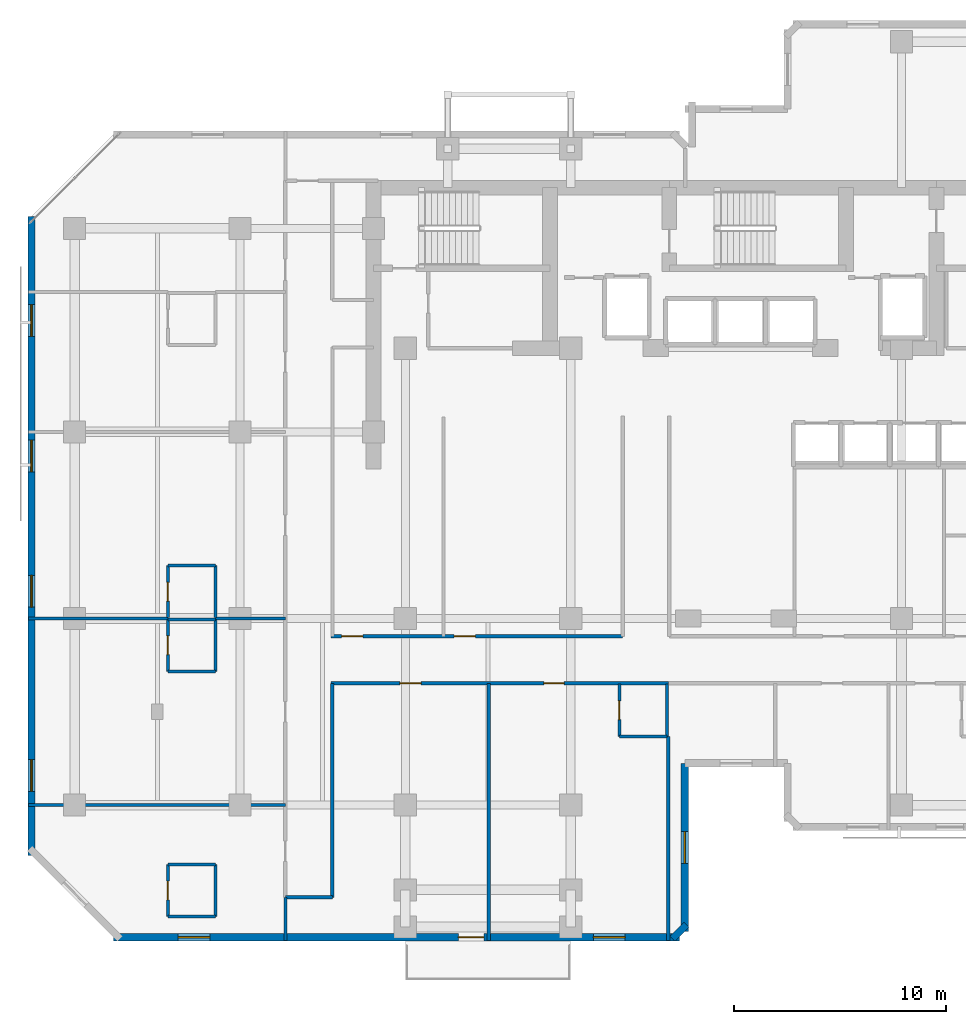
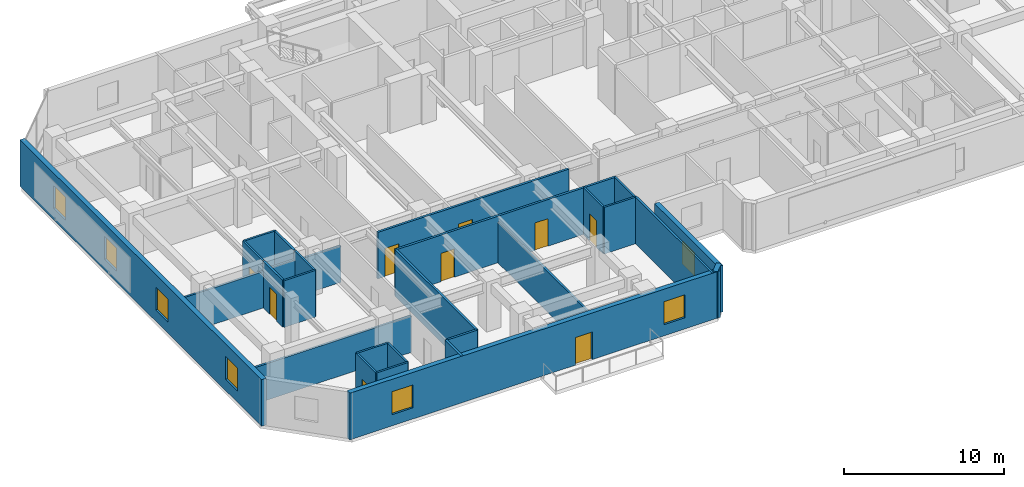
# One storey, part 4 of 11: 28 walls, 9 doors, 7 windows, 16 openings.
"""IFC4 building model written with IfcOpenShell, lengths in metres."""

from ifc_helpers import new_model, si_unit, direction, frame, frame_2d, origin, place, context, subcontext, project, spatial, rectangle, extrude, material, layer, layer_set, type_object, element, fill, save


model = new_model("IFC4")

# Units and contexts
model_context = context("Model", 3, precision=1e-05, world=origin(), true_north=direction((0.0, 1.0)))
body_context = subcontext(model_context, "Body", "Model", "MODEL_VIEW")
ifc_project = project(units=[si_unit("LENGTHUNIT", "METRE"), si_unit("AREAUNIT", "SQUARE_METRE"), si_unit("VOLUMEUNIT", "CUBIC_METRE"), si_unit("PLANEANGLEUNIT", "RADIAN"), si_unit("MASSUNIT", "GRAM", prefix="KILO")], contexts=[model_context])

# Site, building, storey
site_placement = place(None, origin())
site = spatial("IfcSite", under=ifc_project, at=site_placement, CompositionType="ELEMENT")
building_placement = place(site_placement, origin())
building = spatial("IfcBuilding", under=site, at=building_placement, Name="Kestravale Grand Hotel", CompositionType="ELEMENT")
storey_placement = place(building_placement, frame((0.0, 0.0, 172.60009765625)))
storey = spatial("IfcBuildingStorey", under=building, at=storey_placement, Name="L43", CompositionType="ELEMENT", Elevation=172.60009765625)

# Wall, openings, door, windows
ifc_material_1 = material(Name="Precast concrete f'c 45 MPa", Category="concrete")
ifc_layer_1 = layer(ifc_material_1, 0.340087890625)
ifc_layer_set_1 = layer_set([ifc_layer_1], Name="EW-PREC-340")
wall_type_1 = type_object("IfcWallType", Name="EW-PREC-340", PredefinedType="SOLIDWALL", material=ifc_layer_set_1)
wall_1_placement = place(storey_placement, frame((9.6298828125, 4.969970703125, 0.0), z_axis=(0.0, 0.0, 1.0), x_axis=(1.0, 0.0, 0.0)))
wall_1 = element("IfcWall", 1, at=wall_1_placement, inside=storey, type_object=wall_type_1, Name="L43 fluted precast facade wall 1", PredefinedType="SOLIDWALL", context=body_context, shape_type="SweptSolid", body=[
    extrude(rectangle(XDim=26.690185546875, YDim=0.340087890625, at=frame_2d((13.34521484375, 0.0))), origin(), (0.0, 0.0, 1.0), 3.5498046875),
])
opening_1_placement = place(wall_1_placement, frame((3.04833984375, 0.0, 0.85009765625)))
opening_1 = element("IfcOpeningElement", 2, at=opening_1_placement, cuts=wall_1, Name="Opening W-GUEST-1500", PredefinedType="OPENING", context=body_context, shape_type="SweptSolid", body=[
    extrude(rectangle(XDim=1.5, YDim=1.75, at=frame_2d((0.75, 0.875))), frame((0.0, 0.179931640625, 0.0), z_axis=(0.0, -1.0, 0.0), x_axis=(1.0, 0.0, 0.0)), (0.0, 0.0, 1.0), 0.360107421875),
])
opening_2_placement = place(wall_1_placement, frame((22.6416015625, 0.0, 0.85009765625)))
opening_2 = element("IfcOpeningElement", 3, at=opening_2_placement, cuts=wall_1, Name="Opening W-GUEST-1500", PredefinedType="OPENING", context=body_context, shape_type="SweptSolid", body=[
    extrude(rectangle(XDim=1.5, YDim=1.75, at=frame_2d((0.75, 0.875))), frame((0.0, 0.179931640625, 0.0), z_axis=(0.0, -1.0, 0.0), x_axis=(1.0, 0.0, 0.0)), (0.0, 0.0, 1.0), 0.360107421875),
])
opening_3_placement = place(wall_1_placement, frame((16.27001953125, 0.0, 0.0)))
opening_3 = element("IfcOpeningElement", 4, at=opening_3_placement, cuts=wall_1, Name="Opening D-TERR-1200", PredefinedType="OPENING", context=body_context, shape_type="SweptSolid", body=[
    extrude(rectangle(XDim=1.199951171875, YDim=2.10009765625, at=frame_2d((0.60009765625, 1.050048828125))), frame((0.0, 0.179931640625, 0.0), z_axis=(0.0, -1.0, 0.0), x_axis=(1.0, 0.0, 0.0)), (0.0, 0.0, 1.0), 0.360107421875),
])
ifc_material_2 = material(Name="Insulated glazed champagne-bronze aluminium door", Category="aluminium")
door_type_1 = type_object("IfcDoorType", Name="D-TERR-1200", OperationType="NOTDEFINED", PredefinedType="DOOR", material=ifc_material_2)
door_1_placement = place(opening_3_placement, origin())
door_1 = element("IfcDoor", 5, at=door_1_placement, inside=storey, type_object=door_type_1, Name="L43 terrace access door", OperationType="SINGLE_SWING_LEFT", OverallHeight=2.10009765625, OverallWidth=1.199951171875, PredefinedType="DOOR", context=body_context, shape_type="SweptSolid", body=[
    extrude(rectangle(XDim=1.199951171875, YDim=2.10009765625, at=frame_2d((0.60009765625, 1.050048828125))), frame((0.0, 0.02490234375, 0.0), z_axis=(0.0, -1.0, 0.0), x_axis=(1.0, 0.0, 0.0)), (0.0, 0.0, 1.0), 0.050048828125),
])
fill(opening_3, door_1)
ifc_material_3 = material(Name="Insulated low-E double glazing in aluminium frame", Category="aluminium")
window_type = type_object("IfcWindowType", Name="W-GUEST-1500", PartitioningType="SINGLE_PANEL", PredefinedType="WINDOW", material=ifc_material_3)
window_1_placement = place(opening_1_placement, origin())
window_1 = element("IfcWindow", 6, at=window_1_placement, inside=storey, type_object=window_type, Name="L43 exterior window 1.1", OverallHeight=1.75, OverallWidth=1.5, PartitioningType="SINGLE_PANEL", PredefinedType="WINDOW", context=body_context, shape_type="SweptSolid", body=[
    extrude(rectangle(XDim=1.5, YDim=1.75, at=frame_2d((0.75, 0.875))), frame((0.0, 0.030029296875, 0.0), z_axis=(0.0, -1.0, 0.0), x_axis=(1.0, 0.0, 0.0)), (0.0, 0.0, 1.0), 0.06005859375),
])
fill(opening_1, window_1)
window_2_placement = place(opening_2_placement, origin())
window_2 = element("IfcWindow", 7, at=window_2_placement, inside=storey, type_object=window_type, Name="L43 exterior window 1.2", OverallHeight=1.75, OverallWidth=1.5, PartitioningType="SINGLE_PANEL", PredefinedType="WINDOW", context=body_context, shape_type="SweptSolid", body=[
    extrude(rectangle(XDim=1.5, YDim=1.75, at=frame_2d((0.75, 0.875))), frame((0.0, 0.030029296875, 0.0), z_axis=(0.0, -1.0, 0.0), x_axis=(1.0, 0.0, 0.0)), (0.0, 0.0, 1.0), 0.06005859375),
])
fill(opening_2, window_2)

# Wall
wall_2_placement = place(storey_placement, frame((36.00146484375, 4.891845703125, 0.0), z_axis=(0.0, 0.0, 1.0), x_axis=(0.707106781187, 0.707106781187, 0.0)))
element("IfcWall", 8, at=wall_2_placement, inside=storey, type_object=wall_type_1, Name="L43 fluted precast facade wall 2", PredefinedType="SOLIDWALL", context=body_context, shape_type="SweptSolid", body=[
    extrude(rectangle(XDim=0.9287109375, YDim=0.340087890625, at=frame_2d((0.46435546875, 0.0))), origin(), (0.0, 0.0, 1.0), 3.5498046875),
])

# Wall, opening, window
wall_3_placement = place(storey_placement, frame((36.580078125, 5.22998046875, 0.0), z_axis=(0.0, 0.0, 1.0), x_axis=(0.0, 1.0, 0.0)))
wall_3 = element("IfcWall", 9, at=wall_3_placement, inside=storey, type_object=wall_type_1, Name="L43 fluted precast facade wall 3", PredefinedType="SOLIDWALL", context=body_context, shape_type="SweptSolid", body=[
    extrude(rectangle(XDim=7.93994140625, YDim=0.340087890625, at=frame_2d((3.969970703125, 0.0))), origin(), (0.0, 0.0, 1.0), 3.5498046875),
])
opening_4_placement = place(wall_3_placement, frame((3.219970703125, 0.0, 0.85009765625)))
opening_4 = element("IfcOpeningElement", 10, at=opening_4_placement, cuts=wall_3, Name="Opening W-GUEST-1500", PredefinedType="OPENING", context=body_context, shape_type="SweptSolid", body=[
    extrude(rectangle(XDim=1.5, YDim=1.75, at=frame_2d((0.75, 0.875))), frame((0.0, 0.179931640625, 0.0), z_axis=(0.0, -1.0, 0.0), x_axis=(1.0, 0.0, 0.0)), (0.0, 0.0, 1.0), 0.360107421875),
])
window_3_placement = place(opening_4_placement, origin())
window_3 = element("IfcWindow", 11, at=window_3_placement, inside=storey, type_object=window_type, Name="L43 exterior window 3.1", OverallHeight=1.75, OverallWidth=1.5, PartitioningType="SINGLE_PANEL", PredefinedType="WINDOW", context=body_context, shape_type="SweptSolid", body=[
    extrude(rectangle(XDim=1.5, YDim=1.75, at=frame_2d((0.75, 0.875))), frame((0.0, 0.030029296875, 0.0), z_axis=(0.0, -1.0, 0.0), x_axis=(1.0, 0.0, 0.0)), (0.0, 0.0, 1.0), 0.06005859375),
])
fill(opening_4, window_3)

# Wall, openings, windows
wall_4_placement = place(storey_placement, frame((5.77001953125, 38.969970703125, 0.0), z_axis=(0.0, 0.0, 1.0), x_axis=(0.0, -1.0, 0.0)))
wall_4 = element("IfcWall", 12, at=wall_4_placement, inside=storey, type_object=wall_type_1, Name="L43 fluted precast facade wall 19", PredefinedType="SOLIDWALL", context=body_context, shape_type="SweptSolid", body=[
    extrude(rectangle(XDim=30.139892578125, YDim=0.340087890625, at=frame_2d((15.06982421875, 0.0))), origin(), (0.0, 0.0, 1.0), 3.5498046875),
])
opening_5_placement = place(wall_4_placement, frame((4.16748046875, 0.0, 0.85009765625)))
opening_5 = element("IfcOpeningElement", 13, at=opening_5_placement, cuts=wall_4, Name="Opening W-GUEST-1500", PredefinedType="OPENING", context=body_context, shape_type="SweptSolid", body=[
    extrude(rectangle(XDim=1.5, YDim=1.75, at=frame_2d((0.75, 0.875))), frame((0.0, 0.179931640625, 0.0), z_axis=(0.0, -1.0, 0.0), x_axis=(1.0, 0.0, 0.0)), (0.0, 0.0, 1.0), 0.360107421875),
])
opening_6_placement = place(wall_4_placement, frame((10.552490234375, 0.0, 0.85009765625)))
opening_6 = element("IfcOpeningElement", 14, at=opening_6_placement, cuts=wall_4, Name="Opening W-GUEST-1500", PredefinedType="OPENING", context=body_context, shape_type="SweptSolid", body=[
    extrude(rectangle(XDim=1.5, YDim=1.75, at=frame_2d((0.75, 0.875))), frame((0.0, 0.179931640625, 0.0), z_axis=(0.0, -1.0, 0.0), x_axis=(1.0, 0.0, 0.0)), (0.0, 0.0, 1.0), 0.360107421875),
])
opening_7_placement = place(wall_4_placement, frame((16.9375, 0.0, 0.85009765625)))
opening_7 = element("IfcOpeningElement", 15, at=opening_7_placement, cuts=wall_4, Name="Opening W-GUEST-1500", PredefinedType="OPENING", context=body_context, shape_type="SweptSolid", body=[
    extrude(rectangle(XDim=1.5, YDim=1.75, at=frame_2d((0.75, 0.875))), frame((0.0, 0.179931640625, 0.0), z_axis=(0.0, -1.0, 0.0), x_axis=(1.0, 0.0, 0.0)), (0.0, 0.0, 1.0), 0.360107421875),
])
opening_8_placement = place(wall_4_placement, frame((25.62255859375, 0.0, 0.85009765625)))
opening_8 = element("IfcOpeningElement", 16, at=opening_8_placement, cuts=wall_4, Name="Opening W-GUEST-1500", PredefinedType="OPENING", context=body_context, shape_type="SweptSolid", body=[
    extrude(rectangle(XDim=1.5, YDim=1.75, at=frame_2d((0.75, 0.875))), frame((0.0, 0.179931640625, 0.0), z_axis=(0.0, -1.0, 0.0), x_axis=(1.0, 0.0, 0.0)), (0.0, 0.0, 1.0), 0.360107421875),
])
window_4_placement = place(opening_5_placement, origin())
window_4 = element("IfcWindow", 17, at=window_4_placement, inside=storey, type_object=window_type, Name="L43 exterior window 19.1", OverallHeight=1.75, OverallWidth=1.5, PartitioningType="SINGLE_PANEL", PredefinedType="WINDOW", context=body_context, shape_type="SweptSolid", body=[
    extrude(rectangle(XDim=1.5, YDim=1.75, at=frame_2d((0.75, 0.875))), frame((0.0, 0.030029296875, 0.0), z_axis=(0.0, -1.0, 0.0), x_axis=(1.0, 0.0, 0.0)), (0.0, 0.0, 1.0), 0.06005859375),
])
fill(opening_5, window_4)
window_5_placement = place(opening_6_placement, origin())
window_5 = element("IfcWindow", 18, at=window_5_placement, inside=storey, type_object=window_type, Name="L43 exterior window 19.2", OverallHeight=1.75, OverallWidth=1.5, PartitioningType="SINGLE_PANEL", PredefinedType="WINDOW", context=body_context, shape_type="SweptSolid", body=[
    extrude(rectangle(XDim=1.5, YDim=1.75, at=frame_2d((0.75, 0.875))), frame((0.0, 0.030029296875, 0.0), z_axis=(0.0, -1.0, 0.0), x_axis=(1.0, 0.0, 0.0)), (0.0, 0.0, 1.0), 0.06005859375),
])
fill(opening_6, window_5)
window_6_placement = place(opening_7_placement, origin())
window_6 = element("IfcWindow", 19, at=window_6_placement, inside=storey, type_object=window_type, Name="L43 exterior window 19.3", OverallHeight=1.75, OverallWidth=1.5, PartitioningType="SINGLE_PANEL", PredefinedType="WINDOW", context=body_context, shape_type="SweptSolid", body=[
    extrude(rectangle(XDim=1.5, YDim=1.75, at=frame_2d((0.75, 0.875))), frame((0.0, 0.030029296875, 0.0), z_axis=(0.0, -1.0, 0.0), x_axis=(1.0, 0.0, 0.0)), (0.0, 0.0, 1.0), 0.06005859375),
])
fill(opening_7, window_6)
window_7_placement = place(opening_8_placement, origin())
window_7 = element("IfcWindow", 20, at=window_7_placement, inside=storey, type_object=window_type, Name="L43 exterior window 19.4", OverallHeight=1.75, OverallWidth=1.5, PartitioningType="SINGLE_PANEL", PredefinedType="WINDOW", context=body_context, shape_type="SweptSolid", body=[
    extrude(rectangle(XDim=1.5, YDim=1.75, at=frame_2d((0.75, 0.875))), frame((0.0, 0.030029296875, 0.0), z_axis=(0.0, -1.0, 0.0), x_axis=(1.0, 0.0, 0.0)), (0.0, 0.0, 1.0), 0.06005859375),
])
fill(opening_8, window_7)

# Wall, openings, doors
ifc_material_4 = material(Name="Acoustic fire-rated gypsum board partition", Category="other")
ifc_layer_2 = layer(ifc_material_4, 0.159912109375)
ifc_layer_set_2 = layer_set([ifc_layer_2], Name="IW-CORR-160")
wall_type_2 = type_object("IfcWallType", Name="IW-CORR-160", PredefinedType="PARTITIONING", material=ifc_layer_set_2)
wall_5_placement = place(storey_placement, frame((19.89990234375, 19.159912109375, 0.0), z_axis=(0.0, 0.0, 1.0), x_axis=(1.0, 0.0, 0.0)))
wall_5 = element("IfcWall", 21, at=wall_5_placement, inside=storey, type_object=wall_type_2, Name="W-L43-CW-N", PredefinedType="PARTITIONING", context=body_context, shape_type="SweptSolid", body=[
    extrude(rectangle(XDim=13.75, YDim=0.159912109375, at=frame_2d((6.875, 0.0))), origin(), (0.0, 0.0, 1.0), 3.5498046875),
])
opening_9_placement = place(wall_5_placement, frame((0.5, 0.0, 0.0)))
opening_9 = element("IfcOpeningElement", 22, at=opening_9_placement, cuts=wall_5, Name="Opening D-GUEST-1000", PredefinedType="OPENING", context=body_context, shape_type="SweptSolid", body=[
    extrude(rectangle(XDim=1.0, YDim=2.14990234375, at=frame_2d((0.5, 1.074951171875))), frame((0.0, 0.08984375, 0.0), z_axis=(0.0, -1.0, 0.0), x_axis=(1.0, 0.0, 0.0)), (0.0, 0.0, 1.0), 0.179931640625),
])
opening_10_placement = place(wall_5_placement, frame((5.800048828125, 0.0, 0.0)))
opening_10 = element("IfcOpeningElement", 23, at=opening_10_placement, cuts=wall_5, Name="Opening D-GUEST-1000", PredefinedType="OPENING", context=body_context, shape_type="SweptSolid", body=[
    extrude(rectangle(XDim=1.0, YDim=2.14990234375, at=frame_2d((0.5, 1.074951171875))), frame((0.0, 0.08984375, 0.0), z_axis=(0.0, -1.0, 0.0), x_axis=(1.0, 0.0, 0.0)), (0.0, 0.0, 1.0), 0.179931640625),
])
ifc_material_5 = material(Name="Accessible walnut veneer hotel entrance fire door", Category="wood")
door_type_2 = type_object("IfcDoorType", Name="D-GUEST-1000", OperationType="NOTDEFINED", PredefinedType="DOOR", material=ifc_material_5)
door_2_placement = place(opening_9_placement, origin())
door_2 = element("IfcDoor", 24, at=door_2_placement, inside=storey, type_object=door_type_2, Name="D-L43-RECL-W1", OperationType="SINGLE_SWING_RIGHT", OverallHeight=2.14990234375, OverallWidth=1.0, PredefinedType="DOOR", context=body_context, shape_type="SweptSolid", body=[
    extrude(rectangle(XDim=1.0, YDim=2.14990234375, at=frame_2d((0.5, 1.074951171875))), frame((0.0, 0.02490234375, 0.0), z_axis=(0.0, -1.0, 0.0), x_axis=(1.0, 0.0, 0.0)), (0.0, 0.0, 1.0), 0.050048828125),
])
fill(opening_9, door_2)
door_3_placement = place(opening_10_placement, origin())
door_3 = element("IfcDoor", 25, at=door_3_placement, inside=storey, type_object=door_type_2, Name="D-L43-RECL-W2", OperationType="SINGLE_SWING_LEFT", OverallHeight=2.14990234375, OverallWidth=1.0, PredefinedType="DOOR", context=body_context, shape_type="SweptSolid", body=[
    extrude(rectangle(XDim=1.0, YDim=2.14990234375, at=frame_2d((0.5, 1.074951171875))), frame((0.0, 0.02490234375, 0.0), z_axis=(0.0, -1.0, 0.0), x_axis=(1.0, 0.0, 0.0)), (0.0, 0.0, 1.0), 0.050048828125),
])
fill(opening_10, door_3)

wall_6_placement = place(storey_placement, frame((19.89990234375, 16.93994140625, 0.0), z_axis=(0.0, 0.0, 1.0), x_axis=(1.0, 0.0, 0.0)))
wall_6 = element("IfcWall", 26, at=wall_6_placement, inside=storey, type_object=wall_type_2, Name="W-L43-CW-S", PredefinedType="PARTITIONING", context=body_context, shape_type="SweptSolid", body=[
    extrude(rectangle(XDim=15.900146484375, YDim=0.159912109375, at=frame_2d((7.9501953125, 0.0))), origin(), (0.0, 0.0, 1.0), 3.5498046875),
])
opening_11_placement = place(wall_6_placement, frame((3.2451171875, 0.0, 0.0)))
opening_11 = element("IfcOpeningElement", 27, at=opening_11_placement, cuts=wall_6, Name="Opening D-GUEST-1000", PredefinedType="OPENING", context=body_context, shape_type="SweptSolid", body=[
    extrude(rectangle(XDim=1.0, YDim=2.14990234375, at=frame_2d((0.5, 1.074951171875))), frame((0.0, 0.08984375, 0.0), z_axis=(0.0, -1.0, 0.0), x_axis=(1.0, 0.0, 0.0)), (0.0, 0.0, 1.0), 0.179931640625),
])
opening_12_placement = place(wall_6_placement, frame((10.034912109375, 0.0, 0.0)))
opening_12 = element("IfcOpeningElement", 28, at=opening_12_placement, cuts=wall_6, Name="Opening D-GUEST-950", PredefinedType="OPENING", context=body_context, shape_type="SweptSolid", body=[
    extrude(rectangle(XDim=0.949951171875, YDim=2.10009765625, at=frame_2d((0.47509765625, 1.050048828125))), frame((0.0, 0.08984375, 0.0), z_axis=(0.0, -1.0, 0.0), x_axis=(1.0, 0.0, 0.0)), (0.0, 0.0, 1.0), 0.179931640625),
])
door_4_placement = place(opening_11_placement, origin())
door_4 = element("IfcDoor", 29, at=door_4_placement, inside=storey, type_object=door_type_2, Name="D-L43-AMW", OperationType="SINGLE_SWING_RIGHT", OverallHeight=2.14990234375, OverallWidth=1.0, PredefinedType="DOOR", context=body_context, shape_type="SweptSolid", body=[
    extrude(rectangle(XDim=1.0, YDim=2.14990234375, at=frame_2d((0.5, 1.074951171875))), frame((0.0, 0.02490234375, 0.0), z_axis=(0.0, -1.0, 0.0), x_axis=(1.0, 0.0, 0.0)), (0.0, 0.0, 1.0), 0.050048828125),
])
fill(opening_11, door_4)
ifc_material_6 = material(Name="Walnut veneer hotel guestroom entrance fire door", Category="wood")
door_type_3 = type_object("IfcDoorType", Name="D-GUEST-950", OperationType="NOTDEFINED", PredefinedType="DOOR", material=ifc_material_6)
door_5_placement = place(opening_12_placement, origin())
door_5 = element("IfcDoor", 30, at=door_5_placement, inside=storey, type_object=door_type_3, Name="D-L43-U01-ENT", OperationType="SINGLE_SWING_RIGHT", OverallHeight=2.10009765625, OverallWidth=0.949951171875, PredefinedType="DOOR", context=body_context, shape_type="SweptSolid", body=[
    extrude(rectangle(XDim=0.949951171875, YDim=2.10009765625, at=frame_2d((0.47509765625, 1.050048828125))), frame((0.0, 0.02490234375, 0.0), z_axis=(0.0, -1.0, 0.0), x_axis=(1.0, 0.0, 0.0)), (0.0, 0.0, 1.0), 0.050048828125),
])
fill(opening_12, door_5)

# Wall
wall_7_placement = place(storey_placement, frame((19.9599609375, 6.85009765625, 0.0), z_axis=(0.0, 0.0, 1.0), x_axis=(0.0, 1.0, 0.0)))
element("IfcWall", 31, at=wall_7_placement, inside=storey, type_object=wall_type_2, Name="W-L43-SW-E", PredefinedType="PARTITIONING", context=body_context, shape_type="SweptSolid", body=[
    extrude(rectangle(XDim=10.08984375, YDim=0.159912109375, at=frame_2d((5.044921875, 0.0))), origin(), (0.0, 0.0, 1.0), 3.5498046875),
])

# Wall, opening, door
ifc_material_7 = material(Name="Moisture-resistant tile-backer plumbing chase wall", Category="other")
ifc_layer_3 = layer(ifc_material_7, 0.139892578125)
ifc_layer_set_3 = layer_set([ifc_layer_3], Name="IW-PLB-140")
wall_type_3 = type_object("IfcWallType", Name="IW-PLB-140", PredefinedType="PLUMBINGWALL", material=ifc_layer_set_3)
wall_8_placement = place(storey_placement, frame((33.489990234375, 14.429931640625, 0.0), z_axis=(0.0, 0.0, 1.0), x_axis=(0.0, 1.0, 0.0)))
wall_8 = element("IfcWall", 32, at=wall_8_placement, inside=storey, type_object=wall_type_3, Name="W-L43-U01-BW", PredefinedType="PLUMBINGWALL", context=body_context, shape_type="SweptSolid", body=[
    extrude(rectangle(XDim=2.489990234375, YDim=0.139892578125, at=frame_2d((1.2451171875, 0.0))), origin(), (0.0, 0.0, 1.0), 3.5498046875),
])
opening_13_placement = place(wall_8_placement, frame((0.804931640625, 0.0, 0.0)))
opening_13 = element("IfcOpeningElement", 33, at=opening_13_placement, cuts=wall_8, Name="Opening D-BATH-880", PredefinedType="OPENING", context=body_context, shape_type="SweptSolid", body=[
    extrude(rectangle(XDim=0.8798828125, YDim=2.050048828125, at=frame_2d((0.43994140625, 1.02490234375))), frame((0.0, 0.079833984375, 0.0), z_axis=(0.0, -1.0, 0.0), x_axis=(1.0, 0.0, 0.0)), (0.0, 0.0, 1.0), 0.159912109375),
])
ifc_material_8 = material(Name="Moisture-sealed walnut en-suite bathroom door", Category="wood")
door_type_4 = type_object("IfcDoorType", Name="D-BATH-880", OperationType="NOTDEFINED", PredefinedType="DOOR", material=ifc_material_8)
door_6_placement = place(opening_13_placement, origin())
door_6 = element("IfcDoor", 34, at=door_6_placement, inside=storey, type_object=door_type_4, Name="D-L43-U01-BATH", OperationType="SINGLE_SWING_LEFT", OverallHeight=2.050048828125, OverallWidth=0.8798828125, PredefinedType="DOOR", context=body_context, shape_type="SweptSolid", body=[
    extrude(rectangle(XDim=0.8798828125, YDim=2.050048828125, at=frame_2d((0.43994140625, 1.02490234375))), frame((0.0, 0.02490234375, 0.0), z_axis=(0.0, -1.0, 0.0), x_axis=(1.0, 0.0, 0.0)), (0.0, 0.0, 1.0), 0.050048828125),
])
fill(opening_13, door_6)

# Walls
wall_9_placement = place(storey_placement, frame((35.739990234375, 14.429931640625, 0.0), z_axis=(0.0, 0.0, 1.0), x_axis=(0.0, 1.0, 0.0)))
element("IfcWall", 35, at=wall_9_placement, inside=storey, type_object=wall_type_3, Name="W-L43-U01-BE", PredefinedType="PLUMBINGWALL", context=body_context, shape_type="SweptSolid", body=[
    extrude(rectangle(XDim=2.489990234375, YDim=0.139892578125, at=frame_2d((1.2451171875, 0.0))), origin(), (0.0, 0.0, 1.0), 3.5498046875),
])
wall_10_placement = place(storey_placement, frame((33.489990234375, 14.429931640625, 0.0), z_axis=(0.0, 0.0, 1.0), x_axis=(1.0, 0.0, 0.0)))
element("IfcWall", 36, at=wall_10_placement, inside=storey, type_object=wall_type_3, Name="W-L43-U01-BS", PredefinedType="PLUMBINGWALL", context=body_context, shape_type="SweptSolid", body=[
    extrude(rectangle(XDim=2.25, YDim=0.139892578125, at=frame_2d((1.125, 0.0))), origin(), (0.0, 0.0, 1.0), 3.5498046875),
])

# Wall, opening, door
wall_11_placement = place(storey_placement, frame((12.199951171875, 5.949951171875, 0.0), z_axis=(0.0, 0.0, 1.0), x_axis=(0.0, 1.0, 0.0)))
wall_11 = element("IfcWall", 37, at=wall_11_placement, inside=storey, type_object=wall_type_3, Name="W-L43-U04-BW", PredefinedType="PLUMBINGWALL", context=body_context, shape_type="SweptSolid", body=[
    extrude(rectangle(XDim=2.449951171875, YDim=0.139892578125, at=frame_2d((1.22509765625, 0.0))), origin(), (0.0, 0.0, 1.0), 3.5498046875),
])
opening_14_placement = place(wall_11_placement, frame((0.784912109375, 0.0, 0.0)))
opening_14 = element("IfcOpeningElement", 38, at=opening_14_placement, cuts=wall_11, Name="Opening D-BATH-880", PredefinedType="OPENING", context=body_context, shape_type="SweptSolid", body=[
    extrude(rectangle(XDim=0.8798828125, YDim=2.050048828125, at=frame_2d((0.43994140625, 1.02490234375))), frame((0.0, 0.079833984375, 0.0), z_axis=(0.0, -1.0, 0.0), x_axis=(1.0, 0.0, 0.0)), (0.0, 0.0, 1.0), 0.159912109375),
])
door_7_placement = place(opening_14_placement, origin())
door_7 = element("IfcDoor", 39, at=door_7_placement, inside=storey, type_object=door_type_4, Name="D-L43-U04-BATH", OperationType="SINGLE_SWING_RIGHT", OverallHeight=2.050048828125, OverallWidth=0.8798828125, PredefinedType="DOOR", context=body_context, shape_type="SweptSolid", body=[
    extrude(rectangle(XDim=0.8798828125, YDim=2.050048828125, at=frame_2d((0.43994140625, 1.02490234375))), frame((0.0, 0.02490234375, 0.0), z_axis=(0.0, -1.0, 0.0), x_axis=(1.0, 0.0, 0.0)), (0.0, 0.0, 1.0), 0.050048828125),
])
fill(opening_14, door_7)

# Walls
wall_12_placement = place(storey_placement, frame((14.449951171875, 5.949951171875, 0.0), z_axis=(0.0, 0.0, 1.0), x_axis=(0.0, 1.0, 0.0)))
element("IfcWall", 40, at=wall_12_placement, inside=storey, type_object=wall_type_3, Name="W-L43-U04-BE", PredefinedType="PLUMBINGWALL", context=body_context, shape_type="SweptSolid", body=[
    extrude(rectangle(XDim=2.449951171875, YDim=0.139892578125, at=frame_2d((1.22509765625, 0.0))), origin(), (0.0, 0.0, 1.0), 3.5498046875),
])
for number, where, z_axis, x_axis, name in (
    (41, (12.199951171875, 5.949951171875, 0.0), (0.0, 0.0, 1.0), (1.0, 0.0, 0.0), "W-L43-U04-BS"),
    (42, (12.199951171875, 8.39990234375, 0.0), (0.0, 0.0, 1.0), (1.0, 0.0, 0.0), "W-L43-U04-BN"),
):
    element("IfcWall", number, at=place(storey_placement, frame(where, z_axis=z_axis, x_axis=x_axis)), inside=storey, type_object=wall_type_3, Name=name, PredefinedType="PLUMBINGWALL", context=body_context, shape_type="SweptSolid", body=[
        extrude(rectangle(XDim=2.25, YDim=0.139892578125, at=frame_2d((1.125, 0.0))), origin(), (0.0, 0.0, 1.0), 3.5498046875),
    ])

# Wall, opening, door
wall_13_placement = place(storey_placement, frame((12.199951171875, 17.510009765625, 0.0), z_axis=(0.0, 0.0, 1.0), x_axis=(0.0, 1.0, 0.0)))
wall_13 = element("IfcWall", 43, at=wall_13_placement, inside=storey, type_object=wall_type_3, Name="W-L43-U05-BW", PredefinedType="PLUMBINGWALL", context=body_context, shape_type="SweptSolid", body=[
    extrude(rectangle(XDim=2.449951171875, YDim=0.139892578125, at=frame_2d((1.22509765625, 0.0))), origin(), (0.0, 0.0, 1.0), 3.5498046875),
])
opening_15_placement = place(wall_13_placement, frame((0.784912109375, 0.0, 0.0)))
opening_15 = element("IfcOpeningElement", 44, at=opening_15_placement, cuts=wall_13, Name="Opening D-BATH-880", PredefinedType="OPENING", context=body_context, shape_type="SweptSolid", body=[
    extrude(rectangle(XDim=0.8798828125, YDim=2.050048828125, at=frame_2d((0.43994140625, 1.02490234375))), frame((0.0, 0.079833984375, 0.0), z_axis=(0.0, -1.0, 0.0), x_axis=(1.0, 0.0, 0.0)), (0.0, 0.0, 1.0), 0.159912109375),
])
door_8_placement = place(opening_15_placement, origin())
door_8 = element("IfcDoor", 45, at=door_8_placement, inside=storey, type_object=door_type_4, Name="D-L43-U05-BATH", OperationType="SINGLE_SWING_RIGHT", OverallHeight=2.050048828125, OverallWidth=0.8798828125, PredefinedType="DOOR", context=body_context, shape_type="SweptSolid", body=[
    extrude(rectangle(XDim=0.8798828125, YDim=2.050048828125, at=frame_2d((0.43994140625, 1.02490234375))), frame((0.0, 0.02490234375, 0.0), z_axis=(0.0, -1.0, 0.0), x_axis=(1.0, 0.0, 0.0)), (0.0, 0.0, 1.0), 0.050048828125),
])
fill(opening_15, door_8)

# Walls
wall_14_placement = place(storey_placement, frame((14.449951171875, 17.510009765625, 0.0), z_axis=(0.0, 0.0, 1.0), x_axis=(0.0, 1.0, 0.0)))
element("IfcWall", 46, at=wall_14_placement, inside=storey, type_object=wall_type_3, Name="W-L43-U05-BE", PredefinedType="PLUMBINGWALL", context=body_context, shape_type="SweptSolid", body=[
    extrude(rectangle(XDim=2.449951171875, YDim=0.139892578125, at=frame_2d((1.22509765625, 0.0))), origin(), (0.0, 0.0, 1.0), 3.5498046875),
])
wall_15_placement = place(storey_placement, frame((12.199951171875, 17.510009765625, 0.0), z_axis=(0.0, 0.0, 1.0), x_axis=(1.0, 0.0, 0.0)))
element("IfcWall", 47, at=wall_15_placement, inside=storey, type_object=wall_type_3, Name="W-L43-U05-BS", PredefinedType="PLUMBINGWALL", context=body_context, shape_type="SweptSolid", body=[
    extrude(rectangle(XDim=2.25, YDim=0.139892578125, at=frame_2d((1.125, 0.0))), origin(), (0.0, 0.0, 1.0), 3.5498046875),
])
wall_16_placement = place(storey_placement, frame((12.199951171875, 19.9599609375, 0.0), z_axis=(0.0, 0.0, 1.0), x_axis=(1.0, 0.0, 0.0)))
element("IfcWall", 48, at=wall_16_placement, inside=storey, type_object=wall_type_3, Name="W-L43-U05-BN", PredefinedType="PLUMBINGWALL", context=body_context, shape_type="SweptSolid", body=[
    extrude(rectangle(XDim=2.25, YDim=0.139892578125, at=frame_2d((1.125, 0.0))), origin(), (0.0, 0.0, 1.0), 2.89990234375),
])

# Wall, opening, door
wall_17_placement = place(storey_placement, frame((12.199951171875, 20.0400390625, 0.0), z_axis=(0.0, 0.0, 1.0), x_axis=(0.0, 1.0, 0.0)))
wall_17 = element("IfcWall", 49, at=wall_17_placement, inside=storey, type_object=wall_type_3, Name="W-L43-U06-BW", PredefinedType="PLUMBINGWALL", context=body_context, shape_type="SweptSolid", body=[
    extrude(rectangle(XDim=2.449951171875, YDim=0.139892578125, at=frame_2d((1.22509765625, 0.0))), origin(), (0.0, 0.0, 1.0), 3.5498046875),
])
opening_16_placement = place(wall_17_placement, frame((0.784912109375, 0.0, 0.0)))
opening_16 = element("IfcOpeningElement", 50, at=opening_16_placement, cuts=wall_17, Name="Opening D-BATH-880", PredefinedType="OPENING", context=body_context, shape_type="SweptSolid", body=[
    extrude(rectangle(XDim=0.8798828125, YDim=2.050048828125, at=frame_2d((0.43994140625, 1.02490234375))), frame((0.0, 0.079833984375, 0.0), z_axis=(0.0, -1.0, 0.0), x_axis=(1.0, 0.0, 0.0)), (0.0, 0.0, 1.0), 0.159912109375),
])
door_9_placement = place(opening_16_placement, origin())
door_9 = element("IfcDoor", 51, at=door_9_placement, inside=storey, type_object=door_type_4, Name="D-L43-U06-BATH", OperationType="SINGLE_SWING_RIGHT", OverallHeight=2.050048828125, OverallWidth=0.8798828125, PredefinedType="DOOR", context=body_context, shape_type="SweptSolid", body=[
    extrude(rectangle(XDim=0.8798828125, YDim=2.050048828125, at=frame_2d((0.43994140625, 1.02490234375))), frame((0.0, 0.02490234375, 0.0), z_axis=(0.0, -1.0, 0.0), x_axis=(1.0, 0.0, 0.0)), (0.0, 0.0, 1.0), 0.050048828125),
])
fill(opening_16, door_9)

# Walls
wall_18_placement = place(storey_placement, frame((14.449951171875, 20.0400390625, 0.0), z_axis=(0.0, 0.0, 1.0), x_axis=(0.0, 1.0, 0.0)))
element("IfcWall", 52, at=wall_18_placement, inside=storey, type_object=wall_type_3, Name="W-L43-U06-BE", PredefinedType="PLUMBINGWALL", context=body_context, shape_type="SweptSolid", body=[
    extrude(rectangle(XDim=2.449951171875, YDim=0.139892578125, at=frame_2d((1.22509765625, 0.0))), origin(), (0.0, 0.0, 1.0), 3.5498046875),
])
wall_19_placement = place(storey_placement, frame((12.199951171875, 22.489990234375, 0.0), z_axis=(0.0, 0.0, 1.0), x_axis=(1.0, 0.0, 0.0)))
element("IfcWall", 53, at=wall_19_placement, inside=storey, type_object=wall_type_3, Name="W-L43-U06-BN", PredefinedType="PLUMBINGWALL", context=body_context, shape_type="SweptSolid", body=[
    extrude(rectangle(XDim=2.25, YDim=0.139892578125, at=frame_2d((1.125, 0.0))), origin(), (0.0, 0.0, 1.0), 3.5498046875),
])
ifc_material_9 = material(Name="Double-stud STC 52 acoustic demising partition", Category="other")
ifc_layer_4 = layer(ifc_material_9, 0.14990234375)
ifc_layer_set_4 = layer_set([ifc_layer_4], Name="IW-UNIT-150")
wall_type_4 = type_object("IfcWallType", Name="IW-UNIT-150", PredefinedType="PARTITIONING", material=ifc_layer_set_4)
wall_20_placement = place(storey_placement, frame((17.739990234375, 6.85009765625, 0.0), z_axis=(0.0, 0.0, 1.0), x_axis=(1.0, 0.0, 0.0)))
element("IfcWall", 54, at=wall_20_placement, inside=storey, type_object=wall_type_4, Name="W-L43-SW-S", PredefinedType="PARTITIONING", context=body_context, shape_type="SweptSolid", body=[
    extrude(rectangle(XDim=2.219970703125, YDim=0.14990234375, at=frame_2d((1.10986328125, 0.0))), origin(), (0.0, 0.0, 1.0), 3.5498046875),
])
wall_21_placement = place(storey_placement, frame((27.330078125, 4.820068359375, 0.0), z_axis=(0.0, 0.0, 1.0), x_axis=(0.0, 1.0, 0.0)))
element("IfcWall", 55, at=wall_21_placement, inside=storey, type_object=wall_type_4, Name="W-L43-WS-1", PredefinedType="PARTITIONING", context=body_context, shape_type="SweptSolid", body=[
    extrude(rectangle(XDim=12.119873046875, YDim=0.14990234375, at=frame_2d((6.06005859375, 0.0))), origin(), (0.0, 0.0, 1.0), 3.093017578125),
])
wall_22_placement = place(storey_placement, frame((35.800048828125, 4.820068359375, 0.0), z_axis=(0.0, 0.0, 1.0), x_axis=(0.0, 1.0, 0.0)))
element("IfcWall", 56, at=wall_22_placement, inside=storey, type_object=wall_type_4, Name="W-L43-MID-S", PredefinedType="PARTITIONING", context=body_context, shape_type="SweptSolid", body=[
    extrude(rectangle(XDim=9.60986328125, YDim=0.14990234375, at=frame_2d((4.804931640625, 0.0))), origin(), (0.0, 0.0, 1.0), 3.5498046875),
])
wall_23_placement = place(storey_placement, frame((17.739990234375, 4.820068359375, 0.0), z_axis=(0.0, 0.0, 1.0), x_axis=(0.0, 1.0, 0.0)))
element("IfcWall", 57, at=wall_23_placement, inside=storey, type_object=wall_type_4, Name="W-L43-SW-EXT", PredefinedType="PARTITIONING", context=body_context, shape_type="SweptSolid", body=[
    extrude(rectangle(XDim=2.030029296875, YDim=0.14990234375, at=frame_2d((1.01513671875, 0.0))), origin(), (0.0, 0.0, 1.0), 3.5498046875),
])
wall_24_placement = place(storey_placement, frame((5.6201171875, 11.199951171875, 0.0), z_axis=(0.0, 0.0, 1.0), x_axis=(1.0, 0.0, 0.0)))
element("IfcWall", 58, at=wall_24_placement, inside=storey, type_object=wall_type_4, Name="W-L43-WW-1", PredefinedType="PARTITIONING", context=body_context, shape_type="SweptSolid", body=[
    extrude(rectangle(XDim=12.119873046875, YDim=0.14990234375, at=frame_2d((6.06005859375, 0.0))), origin(), (0.0, 0.0, 1.0), 2.77783203125),
])
wall_25_placement = place(storey_placement, frame((5.6201171875, 20.0, 0.0), z_axis=(0.0, 0.0, 1.0), x_axis=(1.0, 0.0, 0.0)))
element("IfcWall", 59, at=wall_25_placement, inside=storey, type_object=wall_type_4, Name="W-L43-WW-2", PredefinedType="PARTITIONING", context=body_context, shape_type="SweptSolid", body=[
    extrude(rectangle(XDim=6.579833984375, YDim=0.14990234375, at=frame_2d((3.2900390625, 0.0))), origin(), (0.0, 0.0, 1.0), 2.77783203125),
])
wall_26_placement = place(storey_placement, frame((14.449951171875, 20.0, 0.0), z_axis=(0.0, 0.0, 1.0), x_axis=(1.0, 0.0, 0.0)))
element("IfcWall", 60, at=wall_26_placement, inside=storey, type_object=wall_type_4, Name="W-L43-WW-2", PredefinedType="PARTITIONING", context=body_context, shape_type="SweptSolid", body=[
    extrude(rectangle(XDim=3.2900390625, YDim=0.14990234375, at=frame_2d((1.64501953125, 0.0))), origin(), (0.0, 0.0, 1.0), 2.77783203125),
])

save(model, "model.ifc")
